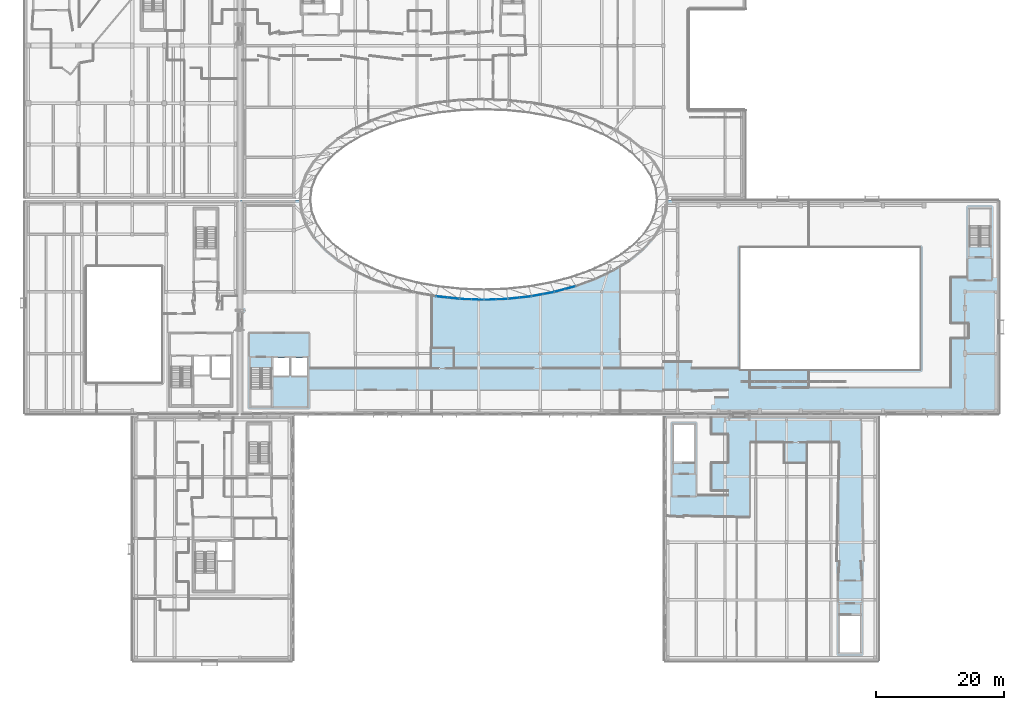
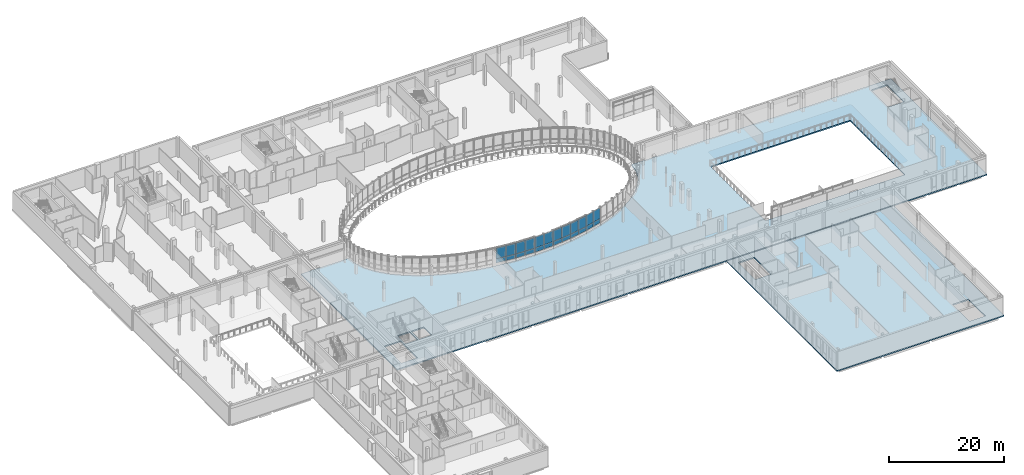
# One storey, part 32 of 84: 24 plates, 2 slabs, 6 elements without a shape of their own.
"""IFC4 building model written with IfcOpenShell, lengths in metres."""

import ifcopenshell
import ifcopenshell.guid

model = None  # the IFC model being written
_history = None  # IfcOwnerHistory: only IFC2X3 demands one
_inside = {}  # id of a spatial element -> (the spatial element, [elements in it])
_under = {}  # id of a project, library or spatial element -> (it, [spatial elements below it])
_declared = {}  # id of a project -> (the project, [libraries it declares])
_typed = {}  # id of a type object -> (the type object, [elements of that type])
_made_of = {}  # id of a material, layer set ... -> (it, [elements and type objects made of it])


def new_model(schema):
    """Start an empty IFC model of exactly this schema.

    Asked for "IFC4X3", IfcOpenShell would pick the latest addendum, in which some entities
    have other attributes; the version numbers below select the first issue.
    IFC2X3 requires an IfcOwnerHistory on every rooted entity: one is made here for all.
    """
    global model, _history
    if schema == "IFC4X3":
        model = ifcopenshell.file(schema_version=(4, 3, 0, 0))
    else:
        model = ifcopenshell.file(schema=schema)
    _inside.clear()
    _under.clear()
    _declared.clear()
    _typed.clear()
    _made_of.clear()
    _history = None
    if model.schema == "IFC2X3":
        org = make("IfcOrganization", Name="unknown")
        user = make(
            "IfcPersonAndOrganization",
            ThePerson=make("IfcPerson", FamilyName="unknown"),
            TheOrganization=org,
        )
        app = make(
            "IfcApplication",
            ApplicationDeveloper=org,
            Version="unknown",
            ApplicationFullName="unknown",
            ApplicationIdentifier="unknown",
        )
        _history = make(
            "IfcOwnerHistory",
            OwningUser=user,
            OwningApplication=app,
            ChangeAction="ADDED",
            CreationDate=0,
        )
    return model


def make(cls, **values):
    """One entity of the class cls with the attributes given. An attribute that is None is left unset."""
    return model.create_entity(
        cls, **{name: value for name, value in values.items() if value is not None}
    )


def rooted(cls, **values):
    """An entity with a GlobalId (a new one), such as an element, a storey or a relation."""
    return make(cls, GlobalId=ifcopenshell.guid.new(), OwnerHistory=_history, **values)


def si_unit(unit_type, name, prefix=None):
    """IfcSIUnit, for example si_unit("LENGTHUNIT", "METRE", prefix="MILLI")."""
    return make("IfcSIUnit", UnitType=unit_type, Prefix=prefix, Name=name)


def assignment(units):
    """IfcUnitAssignment: the units of a project."""
    return None if units is None else make("IfcUnitAssignment", Units=units)


def point(xyz):
    """IfcCartesianPoint."""
    return None if xyz is None else make("IfcCartesianPoint", Coordinates=xyz)


def direction(xyz):
    """IfcDirection."""
    return None if xyz is None else make("IfcDirection", DirectionRatios=xyz)


def frame(location, z_axis=None, x_axis=None):
    """IfcAxis2Placement3D, a coordinate frame: its origin and axes. An axis left out is left unset."""
    return make(
        "IfcAxis2Placement3D",
        Location=point(location),
        Axis=direction(z_axis),
        RefDirection=direction(x_axis),
    )


def frame_2d(location, x_axis=None):
    """IfcAxis2Placement2D, a coordinate frame in the plane: its origin and x axis."""
    return make(
        "IfcAxis2Placement2D", Location=point(location), RefDirection=direction(x_axis)
    )


def origin():
    """The frame at (0, 0, 0) with its axes left unset."""
    return frame((0.0, 0.0, 0.0))


def origin_2d():
    """The frame at (0, 0) in the plane with its x axis left unset."""
    return frame_2d((0.0, 0.0))


def place(relative_to, where):
    """IfcLocalPlacement: puts the frame where relative to a parent placement (None: the world)."""
    return make(
        "IfcLocalPlacement", PlacementRelTo=relative_to, RelativePlacement=where
    )


def context(
    kind, dimensions, precision=None, world=None, true_north=None, identifier=None
):
    """IfcGeometricRepresentationContext, for example the 3D "Model" context."""
    return make(
        "IfcGeometricRepresentationContext",
        ContextIdentifier=identifier,
        ContextType=kind,
        CoordinateSpaceDimension=dimensions,
        Precision=precision,
        WorldCoordinateSystem=world,
        TrueNorth=true_north,
    )


def subcontext(parent, identifier, kind, view, scale=None):
    """IfcGeometricRepresentationSubContext, for example "Body" below "Model"."""
    return make(
        "IfcGeometricRepresentationSubContext",
        ContextIdentifier=identifier,
        ContextType=kind,
        ParentContext=parent,
        TargetScale=scale,
        TargetView=view,
    )


def project(units=None, contexts=None):
    """IfcProject with its units and contexts."""
    return rooted(
        "IfcProject",
        Name="project",
        RepresentationContexts=contexts,
        UnitsInContext=assignment(units),
    )


def spatial(cls, under=None, at=None, **own):
    """A site, building, storey or space (cls), placed at a placement, below another one or the project."""
    s = rooted(cls, ObjectPlacement=at, **own)
    if under is not None:
        _under.setdefault(under.id(), (under, []))[1].append(s)
    return s


def polyline(points):
    """IfcPolyline through the points."""
    return make("IfcPolyline", Points=[point(p) for p in points])


def profile(cls, at=None, kind="AREA", **sizes):
    """A parametric profile (cls). Its sizes go by their IFC names, for example OverallWidth=200.0."""
    return make(cls, ProfileType=kind, Position=at, **sizes)


def rectangle(**sizes):
    """IfcRectangleProfileDef."""
    return profile("IfcRectangleProfileDef", **sizes)


def outline(outer, holes=None, kind="AREA"):
    """IfcArbitraryClosedProfileDef: a profile drawn as a closed curve; with holes, ...WithVoids."""
    if holes is None:
        return make("IfcArbitraryClosedProfileDef", ProfileType=kind, OuterCurve=outer)
    return make(
        "IfcArbitraryProfileDefWithVoids",
        ProfileType=kind,
        OuterCurve=outer,
        InnerCurves=holes,
    )


def extrude(swept, where, along, depth):
    """IfcExtrudedAreaSolid: the profile swept, set in the frame where, extruded along a direction by depth."""
    return make(
        "IfcExtrudedAreaSolid",
        SweptArea=swept,
        Position=where,
        ExtrudedDirection=direction(along),
        Depth=depth,
    )


def shape(context_of_items, identifier, shape_type, items):
    """IfcShapeRepresentation: the items that make up one representation, for example the "Body"."""
    return make(
        "IfcShapeRepresentation",
        ContextOfItems=context_of_items,
        RepresentationIdentifier=identifier,
        RepresentationType=shape_type,
        Items=items,
    )


def material(Name=None, Category=None):
    """IfcMaterial."""
    return make("IfcMaterial", Name=Name, Category=Category)


def layer(
    of_material, thickness, ventilated=None, Name=None, Category=None, Priority=None
):
    """IfcMaterialLayer: one layer of a wall or slab, of a material (None: an air gap)."""
    return make(
        "IfcMaterialLayer",
        Material=of_material,
        LayerThickness=thickness,
        IsVentilated=ventilated,
        Name=Name,
        Category=Category,
        Priority=Priority,
    )


def layer_set(layers, Name=None):
    """IfcMaterialLayerSet."""
    return make("IfcMaterialLayerSet", MaterialLayers=layers, LayerSetName=Name)


def made_of(thing, what):
    """Note that an element or type object is made of a material, layer set ...; save() writes the relation."""
    if what is not None:
        _made_of.setdefault(what.id(), (what, []))[1].append(thing)
    return thing


def type_object(cls, material=None, **own):
    """A type object (cls), such as IfcWallType, which elements share."""
    return made_of(rooted(cls, **own), material)


def element(
    cls,
    number,
    at=None,
    inside=None,
    cuts=None,
    type_object=None,
    material=None,
    context=None,
    identifier="Body",
    shape_type=None,
    held_by="IfcProductDefinitionShape",
    body=None,
    shapes=None,
    **own,
):
    """One element of the class cls, such as IfcWall. Its Tag is "e" and its number.

    at: its placement. inside: the storey or other place that contains it. cuts: it is an
    opening in that element (IfcRelVoidsElement). A single representation is given by context,
    identifier, shape_type and body (its items); several are given by shapes. held_by: the class
    of the entity that holds the representations. save() writes the other relations.
    """
    e = rooted(cls, Tag="e%d" % number, ObjectPlacement=at, **own)
    if body is not None:
        shapes = [shape(context, identifier, shape_type, body)]
    if shapes is not None:
        e.Representation = make(held_by, Representations=shapes)
    if inside is not None:
        _inside.setdefault(inside.id(), (inside, []))[1].append(e)
    if cuts is not None:
        rooted(
            "IfcRelVoidsElement", RelatingBuildingElement=cuts, RelatedOpeningElement=e
        )
    if type_object is not None:
        _typed.setdefault(type_object.id(), (type_object, []))[1].append(e)
    return made_of(e, material)


def aggregate(whole, parts):
    """IfcRelAggregates: a whole, such as a stair, and the parts it consists of."""
    return rooted("IfcRelAggregates", RelatingObject=whole, RelatedObjects=parts)


def save(model, path):
    """Write the relations noted so far, then the file.

    IfcRelAggregates (storeys below a building ...), IfcRelContainedInSpatialStructure (elements
    in a storey), IfcRelDefinesByType, IfcRelAssociatesMaterial and IfcRelDeclares: one each for
    every whole, place, type object, material and project.
    """
    for whole, parts in _under.values():
        aggregate(whole, parts)
    for where, things in _inside.values():
        rooted(
            "IfcRelContainedInSpatialStructure",
            RelatedElements=things,
            RelatingStructure=where,
        )
    for kind, things in _typed.values():
        rooted("IfcRelDefinesByType", RelatedObjects=things, RelatingType=kind)
    for what, things in _made_of.values():
        rooted("IfcRelAssociatesMaterial", RelatedObjects=things, RelatingMaterial=what)
    for by, libraries in _declared.values():
        rooted("IfcRelDeclares", RelatingContext=by, RelatedDefinitions=libraries)
    model.write(path)


model = new_model("IFC4")

# Units and contexts
model_context = context("Model", 3, precision=1e-05, world=origin(), true_north=direction((0.0, 1.0)))
body_context = subcontext(model_context, "Body", "Model", "MODEL_VIEW")
ifc_project = project(units=[si_unit("LENGTHUNIT", "METRE"), si_unit("AREAUNIT", "SQUARE_METRE"), si_unit("VOLUMEUNIT", "CUBIC_METRE"), si_unit("PLANEANGLEUNIT", "RADIAN"), si_unit("MASSUNIT", "GRAM", prefix="KILO")], contexts=[model_context])

# Site, building, storey
site_placement = place(None, origin())
site = spatial("IfcSite", under=ifc_project, at=site_placement, CompositionType="ELEMENT")
building_placement = place(site_placement, origin())
building = spatial("IfcBuilding", under=site, at=building_placement, Name="Mzevani Central Library", CompositionType="ELEMENT")
storey_placement = place(building_placement, frame((0.0, 0.0, 5.39990234375)))
storey = spatial("IfcBuildingStorey", under=building, at=storey_placement, Name="L01", CompositionType="ELEMENT", Elevation=5.39990234375)

# Curtain wall, plates
ifc_material_1 = material(Name="Thermally broken aluminium and Low-E triple glazing", Category="aluminium")
curtain_wall_type_1 = type_object("IfcCurtainWallType", Name="Elliptical Court Unitised Curtain Wall", PredefinedType="NOTDEFINED", material=ifc_material_1)
curtain_wall_1_placement = place(storey_placement, origin())
curtain_wall_1 = element("IfcCurtainWall", 1, at=curtain_wall_1_placement, inside=storey, type_object=curtain_wall_type_1, Name="L01 Elliptical Court Curtain Wall 35", PredefinedType="NOTDEFINED")
ifc_material_2 = material(Name="Thermally broken aluminium AW-6060", Category="aluminium")
ifc_layer_1 = layer(ifc_material_2, 0.0419921875, Name="CW Insulated Spandrel Panel 42")
ifc_layer_set_1 = layer_set([ifc_layer_1], Name="Thermally broken aluminium AW-6060")
plate_type_1 = type_object("IfcPlateType", Name="CW Insulated Spandrel Panel 42", PredefinedType="CURTAIN_PANEL", material=ifc_layer_set_1)
plate_1_placement = place(storey_placement, frame((77.484619140625, 60.807861328125, 0.72021484375), z_axis=(0.0, 0.0, 1.0), x_axis=(0.99422424649, -0.107322633643, 0.0)))
plate_1 = element("IfcPlate", 2, at=plate_1_placement, type_object=plate_type_1, Name="L01 Elliptical Court Curtain Wall 35 Spandrel Panel 1", PredefinedType="CURTAIN_PANEL", context=body_context, shape_type="SweptSolid", body=[
    extrude(rectangle(XDim=1.832275390625, YDim=0.0419921875, at=origin_2d()), origin(), (0.0, 0.0, 1.0), 0.89990234375),
])
plate_2_placement = place(storey_placement, frame((79.306396484375, 60.611328125, 0.72021484375), z_axis=(0.0, 0.0, 1.0), x_axis=(0.99422424649, -0.107322633643, 0.0)))
plate_2 = element("IfcPlate", 3, at=plate_2_placement, type_object=plate_type_1, Name="L01 Elliptical Court Curtain Wall 35 Spandrel Panel 3", PredefinedType="CURTAIN_PANEL", context=body_context, shape_type="SweptSolid", body=[
    extrude(rectangle(XDim=1.832275390625, YDim=0.0419921875, at=origin_2d()), origin(), (0.0, 0.0, 1.0), 0.89990234375),
])

curtain_wall_2_placement = place(storey_placement, origin())
curtain_wall_2 = element("IfcCurtainWall", 4, at=curtain_wall_2_placement, inside=storey, type_object=curtain_wall_type_1, Name="L01 Elliptical Court Curtain Wall 36", PredefinedType="NOTDEFINED")
plate_3_placement = place(storey_placement, frame((81.193359375, 60.46826171875, 0.72021484375), z_axis=(0.0, 0.0, 1.0), x_axis=(0.999368515713, -0.03553265823, 0.0)))
plate_3 = element("IfcPlate", 5, at=plate_3_placement, type_object=plate_type_1, Name="L01 Elliptical Court Curtain Wall 36 Spandrel Panel 1", PredefinedType="CURTAIN_PANEL", context=body_context, shape_type="SweptSolid", body=[
    extrude(rectangle(XDim=1.8544921875, YDim=0.0419921875, at=origin_2d()), origin(), (0.0, 0.0, 1.0), 0.89990234375),
])
plate_4_placement = place(storey_placement, frame((83.046875, 60.40234375, 0.72021484375), z_axis=(0.0, 0.0, 1.0), x_axis=(0.999368515713, -0.03553265823, 0.0)))
plate_4 = element("IfcPlate", 6, at=plate_4_placement, type_object=plate_type_1, Name="L01 Elliptical Court Curtain Wall 36 Spandrel Panel 3", PredefinedType="CURTAIN_PANEL", context=body_context, shape_type="SweptSolid", body=[
    extrude(rectangle(XDim=1.8544921875, YDim=0.0419921875, at=origin_2d()), origin(), (0.0, 0.0, 1.0), 0.89990234375),
])

curtain_wall_type_2 = type_object("IfcCurtainWallType", Name="Reading Hall Northlight Curtain Wall", PredefinedType="NOTDEFINED", material=ifc_material_1)
curtain_wall_3_placement = place(storey_placement, origin())
curtain_wall_3 = element("IfcCurtainWall", 7, at=curtain_wall_3_placement, inside=storey, type_object=curtain_wall_type_2, Name="L01 Elliptical Court Curtain Wall 37", PredefinedType="NOTDEFINED")
plate_5_placement = place(storey_placement, frame((84.953125, 60.40234375, 0.72021484375), z_axis=(0.0, 0.0, 1.0), x_axis=(0.999368515713, 0.03553265823, 0.0)))
plate_5 = element("IfcPlate", 8, at=plate_5_placement, type_object=plate_type_1, Name="L01 Elliptical Court Curtain Wall 37 Spandrel Panel 1", PredefinedType="CURTAIN_PANEL", context=body_context, shape_type="SweptSolid", body=[
    extrude(rectangle(XDim=1.8544921875, YDim=0.0419921875, at=origin_2d()), origin(), (0.0, 0.0, 1.0), 0.89990234375),
])
plate_6_placement = place(storey_placement, frame((86.806640625, 60.46826171875, 0.72021484375), z_axis=(0.0, 0.0, 1.0), x_axis=(0.999368515713, 0.03553265823, 0.0)))
plate_6 = element("IfcPlate", 9, at=plate_6_placement, type_object=plate_type_1, Name="L01 Elliptical Court Curtain Wall 37 Spandrel Panel 3", PredefinedType="CURTAIN_PANEL", context=body_context, shape_type="SweptSolid", body=[
    extrude(rectangle(XDim=1.8544921875, YDim=0.0419921875, at=origin_2d()), origin(), (0.0, 0.0, 1.0), 0.89990234375),
])

curtain_wall_4_placement = place(storey_placement, origin())
curtain_wall_4 = element("IfcCurtainWall", 10, at=curtain_wall_4_placement, inside=storey, type_object=curtain_wall_type_1, Name="L01 Elliptical Court Curtain Wall 38", PredefinedType="NOTDEFINED")
plate_7_placement = place(storey_placement, frame((88.693603515625, 60.611328125, 0.72021484375), z_axis=(0.0, 0.0, 1.0), x_axis=(0.99422424649, 0.107322633643, 0.0)))
plate_7 = element("IfcPlate", 11, at=plate_7_placement, type_object=plate_type_1, Name="L01 Elliptical Court Curtain Wall 38 Spandrel Panel 1", PredefinedType="CURTAIN_PANEL", context=body_context, shape_type="SweptSolid", body=[
    extrude(rectangle(XDim=1.832275390625, YDim=0.0419921875, at=origin_2d()), origin(), (0.0, 0.0, 1.0), 0.89990234375),
])
plate_8_placement = place(storey_placement, frame((90.515380859375, 60.807861328125, 0.72021484375), z_axis=(0.0, 0.0, 1.0), x_axis=(0.99422424649, 0.107322633643, 0.0)))
plate_8 = element("IfcPlate", 12, at=plate_8_placement, type_object=plate_type_1, Name="L01 Elliptical Court Curtain Wall 38 Spandrel Panel 3", PredefinedType="CURTAIN_PANEL", context=body_context, shape_type="SweptSolid", body=[
    extrude(rectangle(XDim=1.832275390625, YDim=0.0419921875, at=origin_2d()), origin(), (0.0, 0.0, 1.0), 0.89990234375),
])

curtain_wall_5_placement = place(storey_placement, origin())
curtain_wall_5 = element("IfcCurtainWall", 13, at=curtain_wall_5_placement, inside=storey, type_object=curtain_wall_type_1, Name="L01 Elliptical Court Curtain Wall 39", PredefinedType="NOTDEFINED")
plate_9_placement = place(storey_placement, frame((92.346435546875, 61.08837890625, 0.72021484375), z_axis=(0.0, 0.0, 1.0), x_axis=(0.983448999944, 0.181185166359, 0.0)))
plate_9 = element("IfcPlate", 14, at=plate_9_placement, type_object=plate_type_1, Name="L01 Elliptical Court Curtain Wall 39 Spandrel Panel 1", PredefinedType="CURTAIN_PANEL", context=body_context, shape_type="SweptSolid", body=[
    extrude(rectangle(XDim=1.78857421875, YDim=0.0419921875, at=origin_2d()), origin(), (0.0, 0.0, 1.0), 0.89990234375),
])
plate_10_placement = place(storey_placement, frame((94.10546875, 61.412353515625, 0.72021484375), z_axis=(0.0, 0.0, 1.0), x_axis=(0.983448999944, 0.181185166359, 0.0)))
plate_10 = element("IfcPlate", 15, at=plate_10_placement, type_object=plate_type_1, Name="L01 Elliptical Court Curtain Wall 39 Spandrel Panel 3", PredefinedType="CURTAIN_PANEL", context=body_context, shape_type="SweptSolid", body=[
    extrude(rectangle(XDim=1.78857421875, YDim=0.0419921875, at=origin_2d()), origin(), (0.0, 0.0, 1.0), 0.89990234375),
])

curtain_wall_6_placement = place(storey_placement, origin())
curtain_wall_6 = element("IfcCurtainWall", 16, at=curtain_wall_6_placement, inside=storey, type_object=curtain_wall_type_2, Name="L01 Elliptical Court Curtain Wall 40", PredefinedType="NOTDEFINED")
plate_11_placement = place(storey_placement, frame((95.84912109375, 61.821044921875, 0.72021484375), z_axis=(0.0, 0.0, 1.0), x_axis=(0.966009344959, 0.258507147775, 0.0)))
plate_11 = element("IfcPlate", 17, at=plate_11_placement, type_object=plate_type_1, Name="L01 Elliptical Court Curtain Wall 40 Spandrel Panel 1", PredefinedType="CURTAIN_PANEL", context=body_context, shape_type="SweptSolid", body=[
    extrude(rectangle(XDim=1.724609375, YDim=0.0419921875, at=origin_2d()), origin(), (0.0, 0.0, 1.0), 0.89990234375),
])
plate_12_placement = place(storey_placement, frame((97.51513671875, 62.266845703125, 0.72021484375), z_axis=(0.0, 0.0, 1.0), x_axis=(0.966009344959, 0.258507147775, 0.0)))
plate_12 = element("IfcPlate", 18, at=plate_12_placement, type_object=plate_type_1, Name="L01 Elliptical Court Curtain Wall 40 Spandrel Panel 3", PredefinedType="CURTAIN_PANEL", context=body_context, shape_type="SweptSolid", body=[
    extrude(rectangle(XDim=1.724609375, YDim=0.0419921875, at=origin_2d()), origin(), (0.0, 0.0, 1.0), 0.89990234375),
])

# Plate
ifc_material_3 = material(Name="Low-E triple glazing glass", Category="glass")
ifc_layer_2 = layer(ifc_material_3, 0.028076171875, Name="CW Triple Glazed Vision Panel 28")
ifc_layer_set_2 = layer_set([ifc_layer_2], Name="Low-E triple glazing glass")
plate_type_2 = type_object("IfcPlateType", Name="CW Triple Glazed Vision Panel 28", PredefinedType="CURTAIN_PANEL", material=ifc_layer_set_2)
plate_13_placement = place(storey_placement, frame((77.484619140625, 60.807861328125, 1.6201171875), z_axis=(0.0, 0.0, 1.0), x_axis=(0.99422424649, -0.107322633643, 0.0)))
plate_13 = element("IfcPlate", 19, at=plate_13_placement, type_object=plate_type_2, Name="L01 Elliptical Court Curtain Wall 35 Vision Panel 2", PredefinedType="CURTAIN_PANEL", context=body_context, shape_type="SweptSolid", body=[
    extrude(rectangle(XDim=1.832275390625, YDim=0.028076171875, at=origin_2d()), origin(), (0.0, 0.0, 1.0), 2.300048828125),
])

plate_14_placement = place(storey_placement, frame((79.306396484375, 60.611328125, 1.6201171875), z_axis=(0.0, 0.0, 1.0), x_axis=(0.99422424649, -0.107322633643, 0.0)))
plate_14 = element("IfcPlate", 20, at=plate_14_placement, type_object=plate_type_2, Name="L01 Elliptical Court Curtain Wall 35 Vision Panel 4", PredefinedType="CURTAIN_PANEL", context=body_context, shape_type="SweptSolid", body=[
    extrude(rectangle(XDim=1.832275390625, YDim=0.028076171875, at=origin_2d()), origin(), (0.0, 0.0, 1.0), 2.300048828125),
])

aggregate(curtain_wall_1, [plate_1, plate_13, plate_2, plate_14])

plate_15_placement = place(storey_placement, frame((81.193359375, 60.46826171875, 1.6201171875), z_axis=(0.0, 0.0, 1.0), x_axis=(0.999368515713, -0.03553265823, 0.0)))
plate_15 = element("IfcPlate", 21, at=plate_15_placement, type_object=plate_type_2, Name="L01 Elliptical Court Curtain Wall 36 Vision Panel 2", PredefinedType="CURTAIN_PANEL", context=body_context, shape_type="SweptSolid", body=[
    extrude(rectangle(XDim=1.8544921875, YDim=0.028076171875, at=origin_2d()), origin(), (0.0, 0.0, 1.0), 2.300048828125),
])

plate_16_placement = place(storey_placement, frame((83.046875, 60.40234375, 1.6201171875), z_axis=(0.0, 0.0, 1.0), x_axis=(0.999368515713, -0.03553265823, 0.0)))
plate_16 = element("IfcPlate", 22, at=plate_16_placement, type_object=plate_type_2, Name="L01 Elliptical Court Curtain Wall 36 Vision Panel 4", PredefinedType="CURTAIN_PANEL", context=body_context, shape_type="SweptSolid", body=[
    extrude(rectangle(XDim=1.8544921875, YDim=0.028076171875, at=origin_2d()), origin(), (0.0, 0.0, 1.0), 2.300048828125),
])

aggregate(curtain_wall_2, [plate_3, plate_15, plate_4, plate_16])

plate_17_placement = place(storey_placement, frame((84.953125, 60.40234375, 1.6201171875), z_axis=(0.0, 0.0, 1.0), x_axis=(0.999368515713, 0.03553265823, 0.0)))
plate_17 = element("IfcPlate", 23, at=plate_17_placement, type_object=plate_type_2, Name="L01 Elliptical Court Curtain Wall 37 Vision Panel 2", PredefinedType="CURTAIN_PANEL", context=body_context, shape_type="SweptSolid", body=[
    extrude(rectangle(XDim=1.8544921875, YDim=0.028076171875, at=origin_2d()), origin(), (0.0, 0.0, 1.0), 2.300048828125),
])

plate_18_placement = place(storey_placement, frame((86.806640625, 60.46826171875, 1.6201171875), z_axis=(0.0, 0.0, 1.0), x_axis=(0.999368515713, 0.03553265823, 0.0)))
plate_18 = element("IfcPlate", 24, at=plate_18_placement, type_object=plate_type_2, Name="L01 Elliptical Court Curtain Wall 37 Vision Panel 4", PredefinedType="CURTAIN_PANEL", context=body_context, shape_type="SweptSolid", body=[
    extrude(rectangle(XDim=1.8544921875, YDim=0.028076171875, at=origin_2d()), origin(), (0.0, 0.0, 1.0), 2.300048828125),
])

aggregate(curtain_wall_3, [plate_5, plate_17, plate_6, plate_18])

plate_19_placement = place(storey_placement, frame((88.693603515625, 60.611328125, 1.6201171875), z_axis=(0.0, 0.0, 1.0), x_axis=(0.99422424649, 0.107322633643, 0.0)))
plate_19 = element("IfcPlate", 25, at=plate_19_placement, type_object=plate_type_2, Name="L01 Elliptical Court Curtain Wall 38 Vision Panel 2", PredefinedType="CURTAIN_PANEL", context=body_context, shape_type="SweptSolid", body=[
    extrude(rectangle(XDim=1.832275390625, YDim=0.028076171875, at=origin_2d()), origin(), (0.0, 0.0, 1.0), 2.300048828125),
])

plate_20_placement = place(storey_placement, frame((90.515380859375, 60.807861328125, 1.6201171875), z_axis=(0.0, 0.0, 1.0), x_axis=(0.99422424649, 0.107322633643, 0.0)))
plate_20 = element("IfcPlate", 26, at=plate_20_placement, type_object=plate_type_2, Name="L01 Elliptical Court Curtain Wall 38 Vision Panel 4", PredefinedType="CURTAIN_PANEL", context=body_context, shape_type="SweptSolid", body=[
    extrude(rectangle(XDim=1.832275390625, YDim=0.028076171875, at=origin_2d()), origin(), (0.0, 0.0, 1.0), 2.300048828125),
])

aggregate(curtain_wall_4, [plate_7, plate_19, plate_8, plate_20])

plate_21_placement = place(storey_placement, frame((92.346435546875, 61.08837890625, 1.6201171875), z_axis=(0.0, 0.0, 1.0), x_axis=(0.983448999944, 0.181185166359, 0.0)))
plate_21 = element("IfcPlate", 27, at=plate_21_placement, type_object=plate_type_2, Name="L01 Elliptical Court Curtain Wall 39 Vision Panel 2", PredefinedType="CURTAIN_PANEL", context=body_context, shape_type="SweptSolid", body=[
    extrude(rectangle(XDim=1.78857421875, YDim=0.028076171875, at=origin_2d()), origin(), (0.0, 0.0, 1.0), 2.300048828125),
])

plate_22_placement = place(storey_placement, frame((94.10546875, 61.412353515625, 1.6201171875), z_axis=(0.0, 0.0, 1.0), x_axis=(0.983448999944, 0.181185166359, 0.0)))
plate_22 = element("IfcPlate", 28, at=plate_22_placement, type_object=plate_type_2, Name="L01 Elliptical Court Curtain Wall 39 Vision Panel 4", PredefinedType="CURTAIN_PANEL", context=body_context, shape_type="SweptSolid", body=[
    extrude(rectangle(XDim=1.78857421875, YDim=0.028076171875, at=origin_2d()), origin(), (0.0, 0.0, 1.0), 2.300048828125),
])

aggregate(curtain_wall_5, [plate_9, plate_21, plate_10, plate_22])

plate_23_placement = place(storey_placement, frame((95.84912109375, 61.821044921875, 1.6201171875), z_axis=(0.0, 0.0, 1.0), x_axis=(0.966009344959, 0.258507147775, 0.0)))
plate_23 = element("IfcPlate", 29, at=plate_23_placement, type_object=plate_type_2, Name="L01 Elliptical Court Curtain Wall 40 Vision Panel 2", PredefinedType="CURTAIN_PANEL", context=body_context, shape_type="SweptSolid", body=[
    extrude(rectangle(XDim=1.724609375, YDim=0.028076171875, at=origin_2d()), origin(), (0.0, 0.0, 1.0), 2.300048828125),
])

plate_24_placement = place(storey_placement, frame((97.51513671875, 62.266845703125, 1.6201171875), z_axis=(0.0, 0.0, 1.0), x_axis=(0.966009344959, 0.258507147775, 0.0)))
plate_24 = element("IfcPlate", 30, at=plate_24_placement, type_object=plate_type_2, Name="L01 Elliptical Court Curtain Wall 40 Vision Panel 4", PredefinedType="CURTAIN_PANEL", context=body_context, shape_type="SweptSolid", body=[
    extrude(rectangle(XDim=1.724609375, YDim=0.028076171875, at=origin_2d()), origin(), (0.0, 0.0, 1.0), 2.300048828125),
])

aggregate(curtain_wall_6, [plate_11, plate_23, plate_12, plate_24])

# Slabs
ifc_material_4 = material(Name="Concrete C35/45", Category="concrete")
ifc_layer_3 = layer(ifc_material_4, 0.260009765625, Name="Public Reading Floor Slab 260")
ifc_layer_set_3 = layer_set([ifc_layer_3], Name="Concrete C35/45")
slab_type = type_object("IfcSlabType", Name="Public Reading Floor Slab 260", PredefinedType="FLOOR", material=ifc_layer_set_3)
slab_1_placement = place(storey_placement, frame((0.0, 0.0, -0.260009765625)))
element("IfcSlab", 31, at=slab_1_placement, inside=storey, type_object=slab_type, Name="L01 V1 Structural Slab FS-02", PredefinedType="FLOOR", context=body_context, shape_type="SweptSolid", body=[
    extrude(outline(polyline([(164.39990234375, 42.5), (46.10009765625, 42.5), (46.10009765625, 75.89990234375), (55.612060546875, 75.89990234375), (55.843017578125, 73.98828125), (56.567626953125, 72.010986328125), (57.76171875, 70.10205078125), (59.40478515625, 68.293701171875), (61.46875, 66.61767578125), (63.918212890625, 65.101806640625), (66.711181640625, 63.772705078125), (69.800048828125, 62.652587890625), (73.1318359375, 61.760986328125), (76.6494140625, 61.11279296875), (80.293212890625, 60.719482421875), (84.0, 60.587646484375), (87.706787109375, 60.719482421875), (91.3505859375, 61.11279296875), (94.8681640625, 61.760986328125), (98.199951171875, 62.652587890625), (101.288818359375, 63.772705078125), (104.081787109375, 65.101806640625), (106.53125, 66.61767578125), (108.59521484375, 68.293701171875), (110.23828125, 70.10205078125), (111.432373046875, 72.010986328125), (112.156982421875, 73.98828125), (112.387939453125, 75.89990234375), (164.39990234375, 75.89990234375), (164.39990234375, 42.5)]), holes=[polyline([(152.0, 68.5), (124.0, 68.5), (124.0, 49.5), (152.0, 49.5), (152.0, 68.5)]), polyline([(47.699951171875, 49.699951171875), (47.699951171875, 43.800048828125), (50.89990234375, 43.800048828125), (50.89990234375, 49.699951171875), (47.699951171875, 49.699951171875)]), polyline([(51.199951171875, 48.5), (53.699951171875, 48.5), (53.699951171875, 51.300048828125), (51.199951171875, 51.300048828125), (51.199951171875, 48.5)]), polyline([(54.0, 48.5), (56.5, 48.5), (56.5, 51.300048828125), (54.0, 51.300048828125), (54.0, 48.5)]), polyline([(162.89990234375, 68.699951171875), (162.89990234375, 74.60009765625), (159.699951171875, 74.60009765625), (159.699951171875, 68.699951171875), (162.89990234375, 68.699951171875)])]), origin(), (0.0, 0.0, 1.0), 0.260009765625),
])
slab_2_placement = place(storey_placement, frame((0.0, 0.0, -0.260009765625)))
element("IfcSlab", 32, at=slab_2_placement, inside=storey, type_object=slab_type, Name="L01 V6 Structural Slab FS-02", PredefinedType="FLOOR", context=body_context, shape_type="SweptSolid", body=[
    extrude(outline(polyline([(145.60009765625, 4.0), (112.10009765625, 4.0), (112.10009765625, 42.300048828125), (145.60009765625, 42.300048828125), (145.60009765625, 4.0)]), holes=[polyline([(116.800048828125, 35.0), (116.800048828125, 40.89990234375), (113.60009765625, 40.89990234375), (113.60009765625, 35.0), (116.800048828125, 35.0)]), polyline([(139.5, 11.300048828125), (139.5, 5.39990234375), (142.699951171875, 5.39990234375), (142.699951171875, 11.300048828125), (139.5, 11.300048828125)])]), origin(), (0.0, 0.0, 1.0), 0.260009765625),
])

save(model, "model.ifc")
